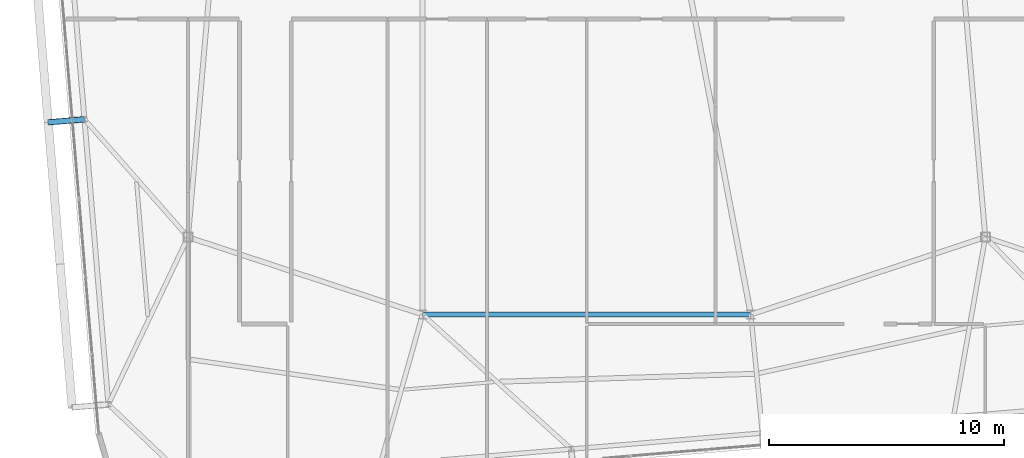
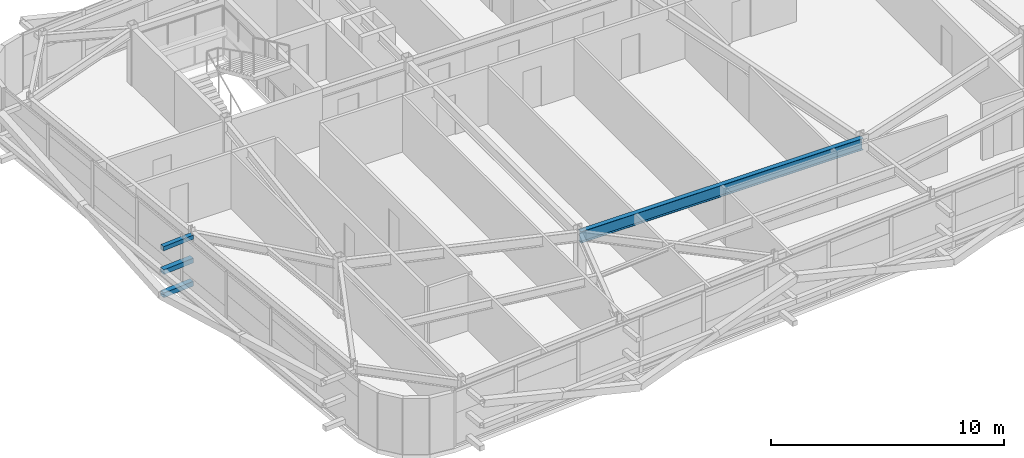
# One storey, part 13 of 46: 3 members, 1 beam.
"""IFC4 building model written with IfcOpenShell, lengths in metres."""

from ifc_helpers import new_model, si_unit, direction, frame, origin, origin_2d, place, context, subcontext, project, spatial, hollow_rectangle, i_section, extrude, source, transform, mapped, material, material_profile, profile_set, type_object, element, save


model = new_model("IFC4")

# Units and contexts
model_context = context("Model", 3, precision=1e-05, world=origin(), true_north=direction((0.0, 1.0)))
body_context = subcontext(model_context, "Body", "Model", "MODEL_VIEW")
ifc_project = project(units=[si_unit("LENGTHUNIT", "METRE"), si_unit("AREAUNIT", "SQUARE_METRE"), si_unit("VOLUMEUNIT", "CUBIC_METRE"), si_unit("PLANEANGLEUNIT", "RADIAN"), si_unit("MASSUNIT", "GRAM", prefix="KILO")], contexts=[model_context])

# Site, building, storey
site_placement = place(None, origin())
site = spatial("IfcSite", under=ifc_project, at=site_placement, CompositionType="ELEMENT")
building_placement = place(site_placement, origin())
building = spatial("IfcBuilding", under=site, at=building_placement, Name="Taldren Reach Tower", CompositionType="ELEMENT")
storey_placement = place(building_placement, frame((0.0, 0.0, 194.60009765625)))
storey = spatial("IfcBuildingStorey", under=building, at=storey_placement, Name="L59", CompositionType="ELEMENT", Elevation=194.60009765625)

# Beam
ifc_material_1 = material(Name="Steel Gr 350 (350PLUS)", Category="steel")
ifc_material_profile_1 = material_profile(ifc_material_1, i_section(OverallWidth=0.22802734375, OverallDepth=0.60205078125, WebThickness=0.010498046875, FlangeThickness=0.014892578125, at=origin_2d()), Name="610UB101")
ifc_profile_set_1 = profile_set([ifc_material_profile_1], Name="Steel Gr 350 (350PLUS)")
beam_type = type_object("IfcBeamType", Name="BM-UB610B", PredefinedType="BEAM", material=ifc_profile_set_1)
shared_shape_1 = source(origin(), body_context, "Body", "SweptSolid", [
    extrude(i_section(OverallWidth=0.22802734375, OverallDepth=0.60205078125, WebThickness=0.010498046875, FlangeThickness=0.014892578125, at=origin_2d()), origin(), (0.0, 0.0, 1.0), 14.0),
])
beam_placement = place(storey_placement, frame((28.0, 9.199951171875, 2.62890625), z_axis=(1.0, 0.0, 0.0), x_axis=(0.0, 1.0, 0.0)))
element("IfcBeam", 1, at=beam_placement, inside=storey, type_object=beam_type, Name="Core-spine girder L59-SP11", PredefinedType="BEAM", context=body_context, shape_type="MappedRepresentation", body=[
    mapped(shared_shape_1, transform((0.0, 0.0, 0.0), scale=1.0)),
])

# Members
ifc_material_2 = material(Name="Steel Gr 450 (C450L0)", Category="steel")
ifc_material_profile_2 = material_profile(ifc_material_2, hollow_rectangle(XDim=0.219970703125, YDim=0.219970703125, WallThickness=0.00830078125, at=origin_2d()), Name="220x220x8.2SHS")
ifc_profile_set_2 = profile_set([ifc_material_profile_2], Name="Steel Gr 450 (C450L0)")
member_type_1 = type_object("IfcMemberType", Name="MB-TIE219", PredefinedType="STRUT", material=ifc_profile_set_2)
shared_shape_2 = source(origin(), body_context, "Body", "SweptSolid", [
    extrude(hollow_rectangle(XDim=0.219970703125, YDim=0.219970703125, WallThickness=0.00830078125, at=origin_2d()), origin(), (0.0, 0.0, 1.0), 1.54541015625),
])
member_placement = place(storey_placement, frame((13.578125, 17.52490234375, 2.64990234375), z_axis=(-0.99648887425, -0.083725285883, 0.0), x_axis=(0.083725285883, -0.99648887425, 0.0)))
element("IfcMember", 2, at=member_placement, inside=storey, type_object=member_type_1, Name="Exoskeleton diaphragm tie strut B4-W2 L59", PredefinedType="STRUT", context=body_context, shape_type="MappedRepresentation", body=[
    mapped(shared_shape_2, transform((0.0, 0.0, 0.0), scale=1.0)),
])
ifc_material_3 = material(Name="Steel Gr 350 (C350L0)", Category="steel")
ifc_material_profile_3 = material_profile(ifc_material_3, hollow_rectangle(XDim=0.25, YDim=0.25, WallThickness=0.010009765625, at=origin_2d()), Name="250x250x10.0SHS")
ifc_profile_set_3 = profile_set([ifc_material_profile_3], Name="Steel Gr 350 (C350L0)")
member_type_2 = type_object("IfcMemberType", Name="MB-POST250", PredefinedType="POST", material=ifc_profile_set_3)
shared_shape_3 = source(origin(), body_context, "Body", "SweptSolid", [
    extrude(hollow_rectangle(XDim=0.25, YDim=0.25, WallThickness=0.010009765625, at=origin_2d()), origin(), (0.0, 0.0, 1.0), 1.54541015625),
])
for number, where, z_axis, x_axis, name in (
    (3, (13.578125, 17.52490234375, 0.219970703125), (-0.99648887425, -0.083725285883, 0.0), (0.083725285883, -0.99648887425, 0.0), "Exoskeleton base diaphragm tie strut B4-W2 L59"),
    (4, (13.578125, 17.52490234375, 1.434814453125), (-0.99648887425, -0.083725285883, 0.0), (0.083725285883, -0.99648887425, 0.0), "Exoskeleton mid-tier diaphragm tie B4-W2 L59"),
):
    element("IfcMember", number, at=place(storey_placement, frame(where, z_axis=z_axis, x_axis=x_axis)), inside=storey, type_object=member_type_2, Name=name, PredefinedType="POST", context=body_context, shape_type="MappedRepresentation", body=[
        mapped(shared_shape_3, transform((0.0, 0.0, 0.0), scale=1.0)),
    ])

save(model, "model.ifc")
